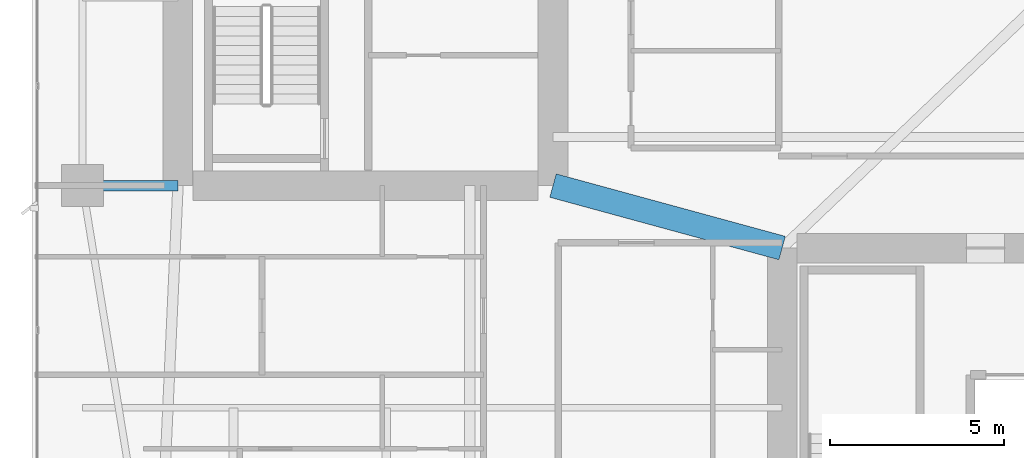
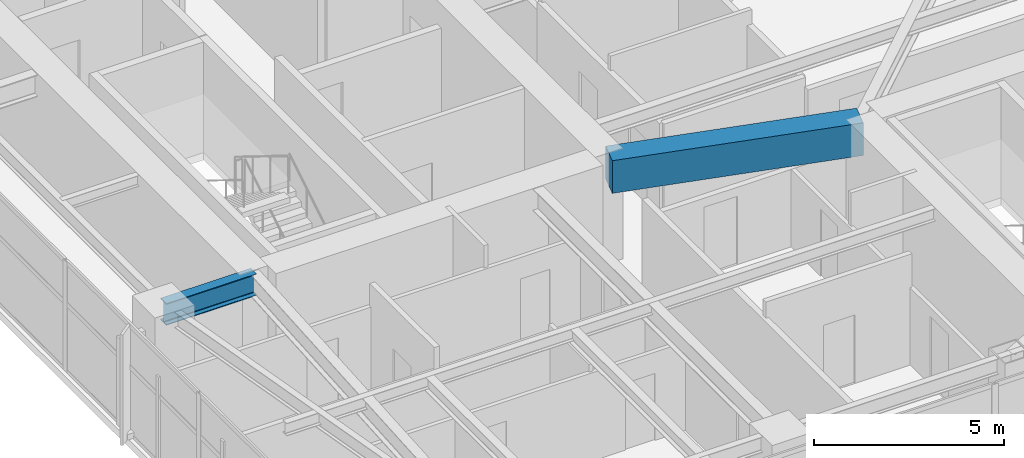
# One storey, part 7 of 29: 2 beams.
"""IFC4 building model written with IfcOpenShell, lengths in metres."""

from ifc_helpers import new_model, si_unit, direction, frame, origin, origin_2d, place, context, subcontext, project, spatial, rectangle, i_section, extrude, material, material_profile, profile_set, type_object, element, save


model = new_model("IFC4")

# Units and contexts
model_context = context("Model", 3, precision=1e-05, world=origin(), true_north=direction((0.0, 1.0)))
body_context = subcontext(model_context, "Body", "Model", "MODEL_VIEW")
ifc_project = project(units=[si_unit("LENGTHUNIT", "METRE"), si_unit("AREAUNIT", "SQUARE_METRE"), si_unit("VOLUMEUNIT", "CUBIC_METRE"), si_unit("PLANEANGLEUNIT", "RADIAN"), si_unit("MASSUNIT", "GRAM", prefix="KILO")], contexts=[model_context])

# Site, building, storey
site_placement = place(None, origin())
site = spatial("IfcSite", under=ifc_project, at=site_placement, CompositionType="ELEMENT")
building_placement = place(site_placement, origin())
building = spatial("IfcBuilding", under=site, at=building_placement, Name="Calvorn Quay Hotel", CompositionType="ELEMENT")
storey_placement = place(building_placement, frame((0.0, 0.0, 105.0)))
storey = spatial("IfcBuildingStorey", under=building, at=storey_placement, Name="L25", CompositionType="ELEMENT", Elevation=105.0)

# Beams
ifc_material_1 = material(Name="Steel Q390GJC", Category="steel")
ifc_material_profile_1 = material_profile(ifc_material_1, i_section(OverallWidth=0.300048828125, OverallDepth=0.699951171875, WebThickness=0.012939453125, FlangeThickness=0.02392578125, FilletRadius=0.02392578125, at=origin_2d()), Name="HN700x300x13x24")
ifc_profile_set_1 = profile_set([ifc_material_profile_1], Name="Steel Q390GJC")
beam_type_1 = type_object("IfcBeamType", Name="BM-GIRD-MAIN", PredefinedType="BEAM", material=ifc_profile_set_1)
beam_1_placement = place(storey_placement, frame((1.449951171875, 16.800048828125, 3.18994140625), z_axis=(1.0, 0.0, 0.0), x_axis=(0.0, 1.0, 0.0)))
element("IfcBeam", 1, at=beam_1_placement, inside=storey, type_object=beam_type_1, Name="Beam BG-L25-W1", PredefinedType="BEAM", context=body_context, shape_type="SweptSolid", body=[
    extrude(i_section(OverallWidth=0.300048828125, OverallDepth=0.699951171875, WebThickness=0.012939453125, FlangeThickness=0.02392578125, FilletRadius=0.02392578125, at=origin_2d()), origin(), (0.0, 0.0, 1.0), 2.75),
])
ifc_material_2 = material(Name="Concrete C50", Category="concrete")
ifc_material_profile_2 = material_profile(ifc_material_2, rectangle(XDim=0.699951171875, YDim=1.050048828125, at=origin_2d()), Name="RCB700x1050")
ifc_profile_set_2 = profile_set([ifc_material_profile_2], Name="Concrete C50")
beam_type_2 = type_object("IfcBeamType", Name="BM-RC-LINK-700x1050", PredefinedType="BEAM", material=ifc_profile_set_2)
beam_2_placement = place(storey_placement, frame((15.0, 16.800048828125, 3.014892578125), z_axis=(0.964762997686, -0.263120425462, 0.0), x_axis=(0.263120425462, 0.964762997686, 0.0)))
element("IfcBeam", 2, at=beam_2_placement, inside=storey, type_object=beam_type_2, Name="Beam BCL-L25-01", PredefinedType="BEAM", context=body_context, shape_type="SweptSolid", body=[
    extrude(rectangle(XDim=0.699951171875, YDim=1.050048828125, at=origin_2d()), origin(), (0.0, 0.0, 1.0), 6.841064453125),
])

save(model, "model.ifc")
